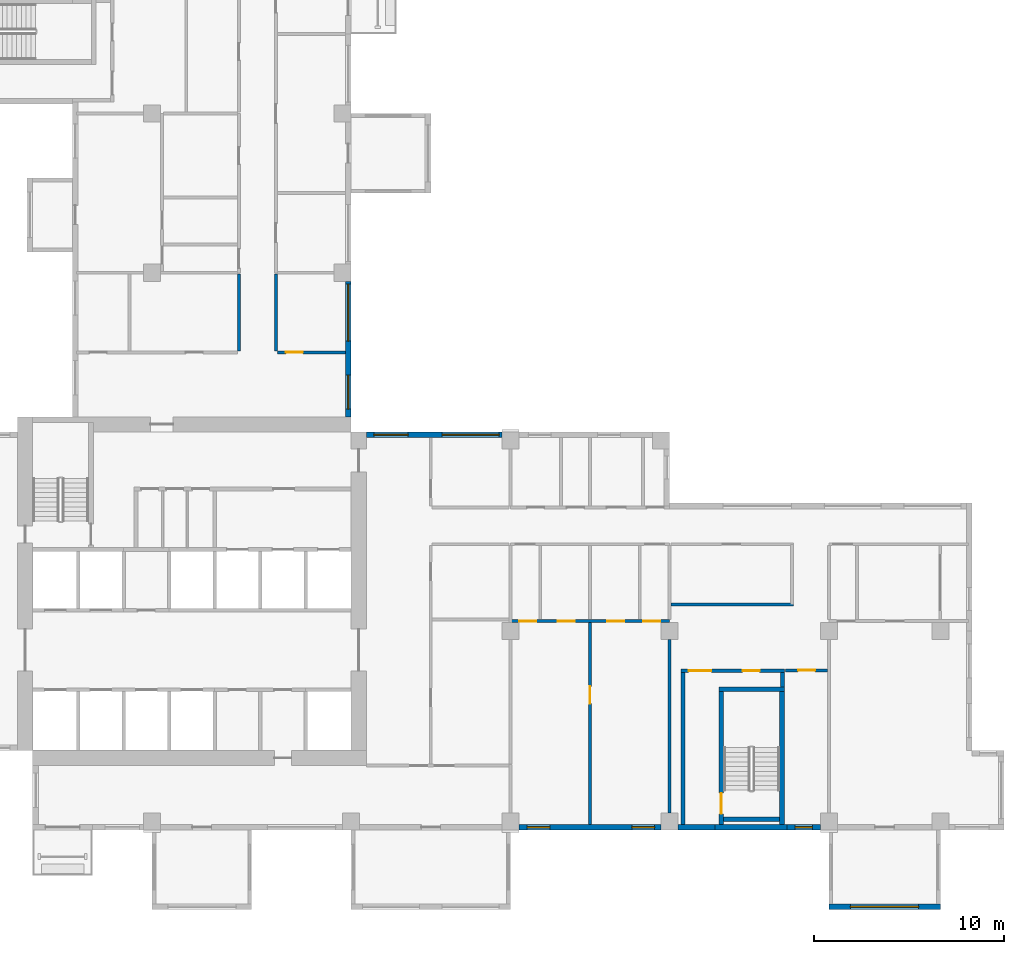
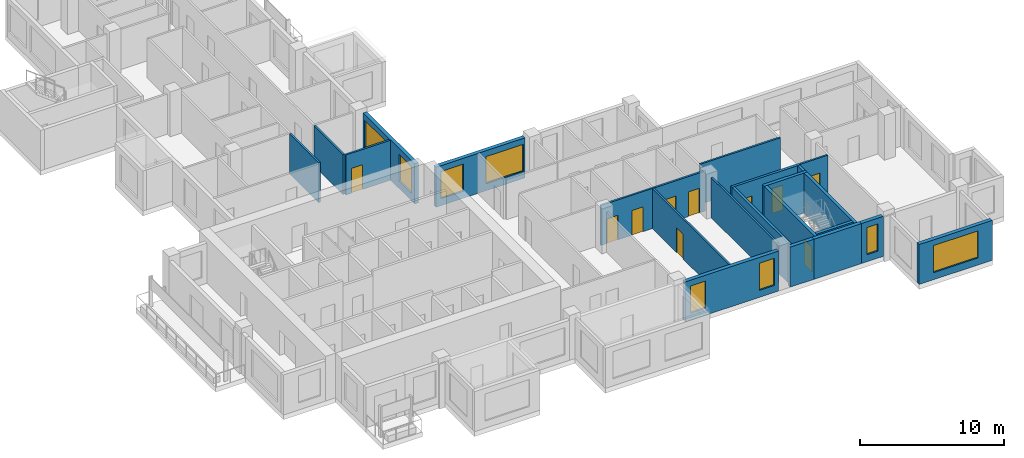
# One storey, part 4 of 12: 22 walls, 10 doors, 8 windows, 18 openings.
"""IFC4 building model written with IfcOpenShell, lengths in metres."""

from ifc_helpers import new_model, si_unit, direction, frame, frame_2d, origin, place, context, subcontext, project, spatial, rectangle, extrude, source, transform, mapped, material, layer, layer_set, type_object, element, fill, save


model = new_model("IFC4")

# Units and contexts
model_context = context("Model", 3, precision=1e-05, world=origin(), true_north=direction((0.0, 1.0)))
body_context = subcontext(model_context, "Body", "Model", "MODEL_VIEW")
ifc_project = project(units=[si_unit("LENGTHUNIT", "METRE"), si_unit("AREAUNIT", "SQUARE_METRE"), si_unit("VOLUMEUNIT", "CUBIC_METRE"), si_unit("PLANEANGLEUNIT", "RADIAN"), si_unit("MASSUNIT", "GRAM", prefix="KILO")], contexts=[model_context])

# Site, building, storey
site_placement = place(None, origin())
site = spatial("IfcSite", under=ifc_project, at=site_placement, CompositionType="ELEMENT")
building_placement = place(site_placement, origin())
building = spatial("IfcBuilding", under=site, at=building_placement, Name="Aurelian Terraces", CompositionType="ELEMENT")
storey_placement = place(building_placement, frame((0.0, 0.0, 223.4)))
storey = spatial("IfcBuildingStorey", under=building, at=storey_placement, Name="L50", CompositionType="ELEMENT", Elevation=223.4)

# Wall, openings, windows
ifc_material_1 = material(Name="Terracotta rainscreen cladding", Category="masonry")
ifc_layer_1 = layer(ifc_material_1, 0.3)
ifc_layer_set_1 = layer_set([ifc_layer_1], Name="EW-300")
wall_type_1 = type_object("IfcWallType", Name="EW-300", PredefinedType="STANDARD", material=ifc_layer_set_1)
shared_shape_1 = source(origin(), body_context, "Body", "SweptSolid", [
    extrude(rectangle(XDim=7.15, YDim=0.3, at=frame_2d((3.575, 0.0))), origin(), (0.0, 0.0, 1.0), 3.4),
])
wall_1_placement = place(storey_placement, frame((28.95, 20.85, 0.0), z_axis=(0.0, 0.0, 1.0), x_axis=(-1.0, 0.0, 0.0)))
wall_1 = element("IfcWall", 1, at=wall_1_placement, inside=storey, type_object=wall_type_1, Name="External wall L50 F07.16", PredefinedType="STANDARD", context=body_context, shape_type="MappedRepresentation", body=[
    mapped(shared_shape_1, transform((0.0, 0.0, 0.0), scale=1.0)),
])
shared_shape_2 = source(origin(), body_context, "Body", "SweptSolid", [
    extrude(rectangle(XDim=3.0, YDim=2.3, at=frame_2d((1.5, 1.15))), frame((0.0, 0.16, 0.0), z_axis=(0.0, -1.0, 0.0), x_axis=(1.0, 0.0, 0.0)), (0.0, 0.0, 1.0), 0.32),
])
opening_1_placement = place(wall_1_placement, frame((0.15, 0.0, 0.6)))
opening_1 = element("IfcOpeningElement", 2, at=opening_1_placement, cuts=wall_1, Name="Opening W3023", PredefinedType="OPENING", context=body_context, shape_type="MappedRepresentation", body=[
    mapped(shared_shape_2, transform((0.0, 0.0, 0.0), scale=1.0)),
])
shared_shape_3 = source(origin(), body_context, "Body", "SweptSolid", [
    extrude(rectangle(XDim=1.8, YDim=2.3, at=frame_2d((0.9, 1.15))), frame((0.0, 0.16, 0.0), z_axis=(0.0, -1.0, 0.0), x_axis=(1.0, 0.0, 0.0)), (0.0, 0.0, 1.0), 0.32),
])
opening_2_placement = place(wall_1_placement, frame((4.95, 0.0, 0.6)))
opening_2 = element("IfcOpeningElement", 3, at=opening_2_placement, cuts=wall_1, Name="Opening W1823", PredefinedType="OPENING", context=body_context, shape_type="MappedRepresentation", body=[
    mapped(shared_shape_3, transform((0.0, 0.0, 0.0), scale=1.0)),
])
ifc_material_2 = material(Name="Clear glazing", Category="glass")
window_type_1 = type_object("IfcWindowType", Name="W-3000x2300", PartitioningType="SINGLE_PANEL", PredefinedType="WINDOW", material=ifc_material_2)
shared_shape_4 = source(origin(), body_context, "Body", "SweptSolid", [
    extrude(rectangle(XDim=3.0, YDim=2.3, at=frame_2d((1.5, 1.15))), frame((0.0, 0.03, 0.0), z_axis=(0.0, -1.0, 0.0), x_axis=(1.0, 0.0, 0.0)), (0.0, 0.0, 1.0), 0.06),
])
window_1_placement = place(opening_1_placement, origin())
window_1 = element("IfcWindow", 4, at=window_1_placement, inside=storey, type_object=window_type_1, Name="Window L50 L50-F07-16-0", OverallHeight=2.3, OverallWidth=3.0, PartitioningType="SINGLE_PANEL", PredefinedType="WINDOW", context=body_context, shape_type="MappedRepresentation", body=[
    mapped(shared_shape_4, transform((0.0, 0.0, 0.0), scale=1.0)),
])
fill(opening_1, window_1)
window_type_2 = type_object("IfcWindowType", Name="W-1800x2300", PartitioningType="SINGLE_PANEL", PredefinedType="WINDOW", material=ifc_material_2)
shared_shape_5 = source(origin(), body_context, "Body", "SweptSolid", [
    extrude(rectangle(XDim=1.8, YDim=2.3, at=frame_2d((0.9, 1.15))), frame((0.0, 0.03, 0.0), z_axis=(0.0, -1.0, 0.0), x_axis=(1.0, 0.0, 0.0)), (0.0, 0.0, 1.0), 0.06),
])
window_2_placement = place(opening_2_placement, origin())
window_2 = element("IfcWindow", 5, at=window_2_placement, inside=storey, type_object=window_type_2, Name="Window L50 L50-F07-16-1", OverallHeight=2.3, OverallWidth=1.8, PartitioningType="SINGLE_PANEL", PredefinedType="WINDOW", context=body_context, shape_type="MappedRepresentation", body=[
    mapped(shared_shape_5, transform((0.0, 0.0, 0.0), scale=1.0)),
])
fill(opening_2, window_2)

wall_2_placement = place(storey_placement, frame((20.85, 21.8, 0.0), z_axis=(0.0, 0.0, 1.0), x_axis=(0.0, 1.0, 0.0)))
wall_2 = element("IfcWall", 6, at=wall_2_placement, inside=storey, type_object=wall_type_1, Name="External wall L50 F08.17", PredefinedType="STANDARD", context=body_context, shape_type="MappedRepresentation", body=[
    mapped(shared_shape_1, transform((0.0, 0.0, 0.0), scale=1.0)),
])
opening_3_placement = place(wall_2_placement, frame((0.4, 0.0, 0.6)))
opening_3 = element("IfcOpeningElement", 7, at=opening_3_placement, cuts=wall_2, Name="Opening W1823", PredefinedType="OPENING", context=body_context, shape_type="MappedRepresentation", body=[
    mapped(shared_shape_3, transform((0.0, 0.0, 0.0), scale=1.0)),
])
opening_4_placement = place(wall_2_placement, frame((4.0, 0.0, 0.6)))
opening_4 = element("IfcOpeningElement", 8, at=opening_4_placement, cuts=wall_2, Name="Opening W3023", PredefinedType="OPENING", context=body_context, shape_type="MappedRepresentation", body=[
    mapped(shared_shape_2, transform((0.0, 0.0, 0.0), scale=1.0)),
])
window_3_placement = place(opening_4_placement, origin())
window_3 = element("IfcWindow", 9, at=window_3_placement, inside=storey, type_object=window_type_1, Name="Window L50 L50-F08-17-1", OverallHeight=2.3, OverallWidth=3.0, PartitioningType="SINGLE_PANEL", PredefinedType="WINDOW", context=body_context, shape_type="MappedRepresentation", body=[
    mapped(shared_shape_4, transform((0.0, 0.0, 0.0), scale=1.0)),
])
fill(opening_4, window_3)
window_4_placement = place(opening_3_placement, origin())
window_4 = element("IfcWindow", 10, at=window_4_placement, inside=storey, type_object=window_type_2, Name="Window L50 L50-F08-17-0", OverallHeight=2.3, OverallWidth=1.8, PartitioningType="SINGLE_PANEL", PredefinedType="WINDOW", context=body_context, shape_type="MappedRepresentation", body=[
    mapped(shared_shape_5, transform((0.0, 0.0, 0.0), scale=1.0)),
])
fill(opening_3, window_4)

shared_shape_6 = source(origin(), body_context, "Body", "SweptSolid", [
    extrude(rectangle(XDim=7.5, YDim=0.3, at=frame_2d((3.75, 0.0))), origin(), (0.0, 0.0, 1.0), 3.4),
])
wall_3_placement = place(storey_placement, frame((29.85, 0.15, 0.0), z_axis=(0.0, 0.0, 1.0), x_axis=(1.0, 0.0, 0.0)))
wall_3 = element("IfcWall", 11, at=wall_3_placement, inside=storey, type_object=wall_type_1, Name="External wall L50 F01.5", PredefinedType="STANDARD", context=body_context, shape_type="MappedRepresentation", body=[
    mapped(shared_shape_6, transform((0.0, 0.0, 0.0), scale=1.0)),
])
shared_shape_7 = source(origin(), body_context, "Body", "SweptSolid", [
    extrude(rectangle(XDim=1.2, YDim=2.3, at=frame_2d((0.6, 1.15))), frame((0.0, 0.16, 0.0), z_axis=(0.0, -1.0, 0.0), x_axis=(1.0, 0.0, 0.0)), (0.0, 0.0, 1.0), 0.32),
])
opening_5_placement = place(wall_3_placement, frame((0.4375, 0.0, 0.6)))
opening_5 = element("IfcOpeningElement", 12, at=opening_5_placement, cuts=wall_3, Name="Opening W1223", PredefinedType="OPENING", context=body_context, shape_type="MappedRepresentation", body=[
    mapped(shared_shape_7, transform((0.0, 0.0, 0.0), scale=1.0)),
])
opening_6_placement = place(wall_3_placement, frame((5.9625, 0.0, 0.6)))
opening_6 = element("IfcOpeningElement", 13, at=opening_6_placement, cuts=wall_3, Name="Opening W1223", PredefinedType="OPENING", context=body_context, shape_type="MappedRepresentation", body=[
    mapped(shared_shape_7, transform((0.0, 0.0, 0.0), scale=1.0)),
])
window_type_3 = type_object("IfcWindowType", Name="W-1200x2300", PartitioningType="SINGLE_PANEL", PredefinedType="WINDOW", material=ifc_material_2)
shared_shape_8 = source(origin(), body_context, "Body", "SweptSolid", [
    extrude(rectangle(XDim=1.2, YDim=2.3, at=frame_2d((0.6, 1.15))), frame((0.0, 0.03, 0.0), z_axis=(0.0, -1.0, 0.0), x_axis=(1.0, 0.0, 0.0)), (0.0, 0.0, 1.0), 0.06),
])
window_5_placement = place(opening_5_placement, origin())
window_5 = element("IfcWindow", 14, at=window_5_placement, inside=storey, type_object=window_type_3, Name="Window L50 L50-F01-05-0", OverallHeight=2.3, OverallWidth=1.2, PartitioningType="SINGLE_PANEL", PredefinedType="WINDOW", context=body_context, shape_type="MappedRepresentation", body=[
    mapped(shared_shape_8, transform((0.0, 0.0, 0.0), scale=1.0)),
])
fill(opening_5, window_5)
window_6_placement = place(opening_6_placement, origin())
window_6 = element("IfcWindow", 15, at=window_6_placement, inside=storey, type_object=window_type_3, Name="Window L50 L50-F01-05-1", OverallHeight=2.3, OverallWidth=1.2, PartitioningType="SINGLE_PANEL", PredefinedType="WINDOW", context=body_context, shape_type="MappedRepresentation", body=[
    mapped(shared_shape_8, transform((0.0, 0.0, 0.0), scale=1.0)),
])
fill(opening_6, window_6)

# Walls
shared_shape_9 = source(origin(), body_context, "Body", "SweptSolid", [
    extrude(rectangle(XDim=1.95, YDim=0.3, at=frame_2d((0.975, 0.0))), origin(), (0.0, 0.0, 1.0), 3.4),
])
wall_4_placement = place(storey_placement, frame((38.25, 0.15, 0.0), z_axis=(0.0, 0.0, 1.0), x_axis=(1.0, 0.0, 0.0)))
element("IfcWall", 16, at=wall_4_placement, inside=storey, type_object=wall_type_1, Name="External wall L50 F01.6", PredefinedType="STANDARD", context=body_context, shape_type="MappedRepresentation", body=[
    mapped(shared_shape_9, transform((0.0, 0.0, 0.0), scale=1.0)),
])
ifc_material_3 = material(Name="Concrete fc' 40 MPa", Category="concrete")
ifc_layer_2 = layer(ifc_material_3, 0.3)
ifc_layer_set_2 = layer_set([ifc_layer_2], Name="STAIR BAY WALL 300")
wall_type_2 = type_object("IfcWallType", Name="STAIR BAY WALL 300", PredefinedType="SOLIDWALL", material=ifc_layer_set_2)
shared_shape_10 = source(origin(), body_context, "Body", "SweptSolid", [
    extrude(rectangle(XDim=3.8, YDim=0.3, at=frame_2d((1.9, 0.0))), origin(), (0.0, 0.0, 1.0), 3.4),
])
wall_5_placement = place(storey_placement, frame((40.2, 0.15, 0.0), z_axis=(0.0, 0.0, 1.0), x_axis=(1.0, 0.0, 0.0)))
element("IfcWall", 17, at=wall_5_placement, inside=storey, type_object=wall_type_2, Name="Stair bay wall L50 F01.6", PredefinedType="SOLIDWALL", context=body_context, shape_type="MappedRepresentation", body=[
    mapped(shared_shape_10, transform((0.0, 0.0, 0.0), scale=1.0)),
])

# Wall, opening, window
shared_shape_11 = source(origin(), body_context, "Body", "SweptSolid", [
    extrude(rectangle(XDim=1.75, YDim=0.3, at=frame_2d((0.875, 0.0))), origin(), (0.0, 0.0, 1.0), 3.4),
])
wall_6_placement = place(storey_placement, frame((44.0, 0.15, 0.0), z_axis=(0.0, 0.0, 1.0), x_axis=(1.0, 0.0, 0.0)))
wall_6 = element("IfcWall", 18, at=wall_6_placement, inside=storey, type_object=wall_type_1, Name="External wall L50 F01.6", PredefinedType="STANDARD", context=body_context, shape_type="MappedRepresentation", body=[
    mapped(shared_shape_11, transform((0.0, 0.0, 0.0), scale=1.0)),
])
shared_shape_12 = source(origin(), body_context, "Body", "SweptSolid", [
    extrude(rectangle(XDim=0.9, YDim=2.3, at=frame_2d((0.45, 1.15))), frame((0.0, 0.16, 0.0), z_axis=(0.0, -1.0, 0.0), x_axis=(1.0, 0.0, 0.0)), (0.0, 0.0, 1.0), 0.32),
])
opening_7_placement = place(wall_6_placement, frame((0.425, 0.0, 0.6)))
opening_7 = element("IfcOpeningElement", 19, at=opening_7_placement, cuts=wall_6, Name="Opening W0923", PredefinedType="OPENING", context=body_context, shape_type="MappedRepresentation", body=[
    mapped(shared_shape_12, transform((0.0, 0.0, 0.0), scale=1.0)),
])
window_type_4 = type_object("IfcWindowType", Name="W-900x2300", PartitioningType="SINGLE_PANEL", PredefinedType="WINDOW", material=ifc_material_2)
shared_shape_13 = source(origin(), body_context, "Body", "SweptSolid", [
    extrude(rectangle(XDim=0.9, YDim=2.3, at=frame_2d((0.45, 1.15))), frame((0.0, 0.03, 0.0), z_axis=(0.0, -1.0, 0.0), x_axis=(1.0, 0.0, 0.0)), (0.0, 0.0, 1.0), 0.06),
])
window_7_placement = place(opening_7_placement, origin())
window_7 = element("IfcWindow", 20, at=window_7_placement, inside=storey, type_object=window_type_4, Name="Window L50 L50-F01-06-P2", OverallHeight=2.3, OverallWidth=0.9, PartitioningType="SINGLE_PANEL", PredefinedType="WINDOW", context=body_context, shape_type="MappedRepresentation", body=[
    mapped(shared_shape_13, transform((0.0, 0.0, 0.0), scale=1.0)),
])
fill(opening_7, window_7)

ifc_layer_3 = layer(ifc_material_3, 0.3)
ifc_layer_set_3 = layer_set([ifc_layer_3], Name="BOX BEARING WALL 300")
wall_type_3 = type_object("IfcWallType", Name="BOX BEARING WALL 300", PredefinedType="SOLIDWALL", material=ifc_layer_set_3)
shared_shape_14 = source(origin(), body_context, "Body", "SweptSolid", [
    extrude(rectangle(XDim=5.88, YDim=0.3, at=frame_2d((2.94, 0.0))), origin(), (0.0, 0.0, 1.0), 3.39),
])
wall_7_placement = place(storey_placement, frame((46.2, -4.05, 0.0), z_axis=(0.0, 0.0, 1.0), x_axis=(1.0, 0.0, 0.0)))
wall_7 = element("IfcWall", 21, at=wall_7_placement, inside=storey, type_object=wall_type_3, Name="Box wall L50 J74", PredefinedType="SOLIDWALL", context=body_context, shape_type="MappedRepresentation", body=[
    mapped(shared_shape_14, transform((0.0, 0.0, 0.0), scale=1.0)),
])
shared_shape_15 = source(origin(), body_context, "Body", "SweptSolid", [
    extrude(rectangle(XDim=3.6, YDim=2.3, at=frame_2d((1.8, 1.15))), frame((0.0, 0.16, 0.0), z_axis=(0.0, -1.0, 0.0), x_axis=(1.0, 0.0, 0.0)), (0.0, 0.0, 1.0), 0.32),
])
opening_8_placement = place(wall_7_placement, frame((1.14, 0.0, 0.6)))
opening_8 = element("IfcOpeningElement", 22, at=opening_8_placement, cuts=wall_7, Name="Opening W3623", PredefinedType="OPENING", context=body_context, shape_type="MappedRepresentation", body=[
    mapped(shared_shape_15, transform((0.0, 0.0, 0.0), scale=1.0)),
])
window_type_5 = type_object("IfcWindowType", Name="W-3600x2300", PartitioningType="SINGLE_PANEL", PredefinedType="WINDOW", material=ifc_material_2)
shared_shape_16 = source(origin(), body_context, "Body", "SweptSolid", [
    extrude(rectangle(XDim=3.6, YDim=2.3, at=frame_2d((1.8, 1.15))), frame((0.0, 0.03, 0.0), z_axis=(0.0, -1.0, 0.0), x_axis=(1.0, 0.0, 0.0)), (0.0, 0.0, 1.0), 0.06),
])
window_8_placement = place(opening_8_placement, origin())
window_8 = element("IfcWindow", 23, at=window_8_placement, inside=storey, type_object=window_type_5, Name="Window L50 J74-F1", OverallHeight=2.3, OverallWidth=3.6, PartitioningType="SINGLE_PANEL", PredefinedType="WINDOW", context=body_context, shape_type="MappedRepresentation", body=[
    mapped(shared_shape_16, transform((0.0, 0.0, 0.0), scale=1.0)),
])
fill(opening_8, window_8)

# Wall, opening, door
ifc_layer_4 = layer(ifc_material_3, 0.25)
ifc_layer_set_4 = layer_set([ifc_layer_4], Name="Stair enclosure wall 250")
wall_type_4 = type_object("IfcWallType", Name="Stair enclosure wall 250", PredefinedType="SOLIDWALL", material=ifc_layer_set_4)
shared_shape_17 = source(origin(), body_context, "Body", "SweptSolid", [
    extrude(rectangle(XDim=7.0, YDim=0.25, at=frame_2d((3.5, 0.0))), origin(), (0.0, 0.0, 1.0), 3.4),
])
wall_8_placement = place(storey_placement, frame((40.525, 0.3, 0.0), z_axis=(0.0, 0.0, 1.0), x_axis=(0.0, 1.0, 0.0)))
wall_8 = element("IfcWall", 24, at=wall_8_placement, inside=storey, type_object=wall_type_4, Name="L50 core wall ST-S2-W", PredefinedType="SOLIDWALL", context=body_context, shape_type="MappedRepresentation", body=[
    mapped(shared_shape_17, transform((0.0, 0.0, 0.0), scale=1.0)),
])
shared_shape_18 = source(origin(), body_context, "Body", "SweptSolid", [
    extrude(rectangle(XDim=1.1, YDim=2.1, at=frame_2d((0.55, 1.05))), frame((0.0, 0.135, 0.0), z_axis=(0.0, -1.0, 0.0), x_axis=(1.0, 0.0, 0.0)), (0.0, 0.0, 1.0), 0.27),
])
opening_9_placement = place(wall_8_placement, frame((0.55, 0.0, 0.0)))
opening_9 = element("IfcOpeningElement", 25, at=opening_9_placement, cuts=wall_8, Name="Opening 65317", PredefinedType="OPENING", context=body_context, shape_type="MappedRepresentation", body=[
    mapped(shared_shape_18, transform((0.0, 0.0, 0.0), scale=1.0)),
])
ifc_material_4 = material(Name="Steel door leaf", Category="steel")
door_type_1 = type_object("IfcDoorType", Name="Core fire door 1100x2100", OperationType="SINGLE_SWING_LEFT", PredefinedType="DOOR", material=ifc_material_4)
shared_shape_19 = source(origin(), body_context, "Body", "SweptSolid", [
    extrude(rectangle(XDim=1.1, YDim=2.1, at=frame_2d((0.55, 1.05))), frame((0.0, 0.025, 0.0), z_axis=(0.0, -1.0, 0.0), x_axis=(1.0, 0.0, 0.0)), (0.0, 0.0, 1.0), 0.05),
])
door_1_placement = place(opening_9_placement, origin())
door_1 = element("IfcDoor", 26, at=door_1_placement, inside=storey, type_object=door_type_1, Name="Stair door 65317", OperationType="SINGLE_SWING_LEFT", OverallHeight=2.1, OverallWidth=1.1, PredefinedType="DOOR", context=body_context, shape_type="MappedRepresentation", body=[
    mapped(shared_shape_19, transform((0.0, 0.0, 0.0), scale=1.0)),
])
fill(opening_9, door_1)

# Walls
wall_9_placement = place(storey_placement, frame((43.725, 0.3, 0.0), z_axis=(0.0, 0.0, 1.0), x_axis=(0.0, 1.0, 0.0)))
element("IfcWall", 27, at=wall_9_placement, inside=storey, type_object=wall_type_4, Name="L50 core wall ST-S2-E", PredefinedType="SOLIDWALL", context=body_context, shape_type="MappedRepresentation", body=[
    mapped(shared_shape_17, transform((0.0, 0.0, 0.0), scale=1.0)),
])
shared_shape_20 = source(origin(), body_context, "Body", "SweptSolid", [
    extrude(rectangle(XDim=3.45, YDim=0.25, at=frame_2d((1.725, 0.0))), origin(), (0.0, 0.0, 1.0), 3.4),
])
wall_10_placement = place(storey_placement, frame((40.4, 7.425, 0.0), z_axis=(0.0, 0.0, 1.0), x_axis=(1.0, 0.0, 0.0)))
element("IfcWall", 28, at=wall_10_placement, inside=storey, type_object=wall_type_4, Name="L50 core wall ST-S2-N", PredefinedType="SOLIDWALL", context=body_context, shape_type="MappedRepresentation", body=[
    mapped(shared_shape_20, transform((0.0, 0.0, 0.0), scale=1.0)),
])
shared_shape_21 = source(origin(), body_context, "Body", "SweptSolid", [
    extrude(rectangle(XDim=2.95, YDim=0.25, at=frame_2d((1.475, 0.0))), origin(), (0.0, 0.0, 1.0), 3.4),
])
wall_11_placement = place(storey_placement, frame((40.65, 0.575, 0.0), z_axis=(0.0, 0.0, 1.0), x_axis=(1.0, 0.0, 0.0)))
element("IfcWall", 29, at=wall_11_placement, inside=storey, type_object=wall_type_4, Name="L50 core wall ST-S2-SS", PredefinedType="SOLIDWALL", context=body_context, shape_type="MappedRepresentation", body=[
    mapped(shared_shape_21, transform((0.0, 0.0, 0.0), scale=1.0)),
])

# Wall, openings, doors
ifc_material_5 = material(Name="Gypsum board on steel studs", Category="steel")
ifc_layer_5 = layer(ifc_material_5, 0.2)
ifc_layer_set_5 = layer_set([ifc_layer_5], Name="Core partition 200")
wall_type_5 = type_object("IfcWallType", Name="Core partition 200", PredefinedType="PARTITIONING", material=ifc_layer_set_5)
shared_shape_22 = source(origin(), body_context, "Body", "SweptSolid", [
    extrude(rectangle(XDim=5.45, YDim=0.2, at=frame_2d((2.725, 0.0))), origin(), (0.0, 0.0, 1.0), 3.4),
])
wall_12_placement = place(storey_placement, frame((38.4, 8.4, 0.0), z_axis=(0.0, 0.0, 1.0), x_axis=(1.0, 0.0, 0.0)))
wall_12 = element("IfcWall", 30, at=wall_12_placement, inside=storey, type_object=wall_type_5, Name="L50 core wall ST-S2-BN", PredefinedType="PARTITIONING", context=body_context, shape_type="MappedRepresentation", body=[
    mapped(shared_shape_22, transform((0.0, 0.0, 0.0), scale=1.0)),
])
shared_shape_23 = source(origin(), body_context, "Body", "SweptSolid", [
    extrude(rectangle(XDim=1.2, YDim=2.1, at=frame_2d((0.6, 1.05))), frame((0.0, 0.11, 0.0), z_axis=(0.0, -1.0, 0.0), x_axis=(1.0, 0.0, 0.0)), (0.0, 0.0, 1.0), 0.22),
])
opening_10_placement = place(wall_12_placement, frame((0.4, 0.0, 0.0)))
opening_10 = element("IfcOpeningElement", 31, at=opening_10_placement, cuts=wall_12, Name="Opening 65318", PredefinedType="OPENING", context=body_context, shape_type="MappedRepresentation", body=[
    mapped(shared_shape_23, transform((0.0, 0.0, 0.0), scale=1.0)),
])
shared_shape_24 = source(origin(), body_context, "Body", "SweptSolid", [
    extrude(rectangle(XDim=0.9, YDim=2.1, at=frame_2d((0.45, 1.05))), frame((0.0, 0.11, 0.0), z_axis=(0.0, -1.0, 0.0), x_axis=(1.0, 0.0, 0.0)), (0.0, 0.0, 1.0), 0.22),
])
opening_11_placement = place(wall_12_placement, frame((3.25, 0.0, 0.0)))
opening_11 = element("IfcOpeningElement", 32, at=opening_11_placement, cuts=wall_12, Name="Opening 65319", PredefinedType="OPENING", context=body_context, shape_type="MappedRepresentation", body=[
    mapped(shared_shape_24, transform((0.0, 0.0, 0.0), scale=1.0)),
])
door_type_2 = type_object("IfcDoorType", Name="Core riser door 900x2100", OperationType="SINGLE_SWING_LEFT", PredefinedType="DOOR", material=ifc_material_4)
shared_shape_25 = source(origin(), body_context, "Body", "SweptSolid", [
    extrude(rectangle(XDim=0.9, YDim=2.1, at=frame_2d((0.45, 1.05))), frame((0.0, 0.025, 0.0), z_axis=(0.0, -1.0, 0.0), x_axis=(1.0, 0.0, 0.0)), (0.0, 0.0, 1.0), 0.05),
])
door_2_placement = place(opening_11_placement, origin())
door_2 = element("IfcDoor", 33, at=door_2_placement, inside=storey, type_object=door_type_2, Name="Riser door 65319", OperationType="SINGLE_SWING_LEFT", OverallHeight=2.1, OverallWidth=0.9, PredefinedType="DOOR", context=body_context, shape_type="MappedRepresentation", body=[
    mapped(shared_shape_25, transform((0.0, 0.0, 0.0), scale=1.0)),
])
fill(opening_11, door_2)
door_type_3 = type_object("IfcDoorType", Name="Core fire door 1200x2100 right", OperationType="SINGLE_SWING_RIGHT", PredefinedType="DOOR", material=ifc_material_4)
shared_shape_26 = source(origin(), body_context, "Body", "SweptSolid", [
    extrude(rectangle(XDim=1.2, YDim=2.1, at=frame_2d((0.6, 1.05))), frame((0.0, 0.025, 0.0), z_axis=(0.0, -1.0, 0.0), x_axis=(1.0, 0.0, 0.0)), (0.0, 0.0, 1.0), 0.05),
])
door_3_placement = place(opening_10_placement, origin())
door_3 = element("IfcDoor", 34, at=door_3_placement, inside=storey, type_object=door_type_3, Name="Vestibule door 65318", OperationType="SINGLE_SWING_RIGHT", OverallHeight=2.1, OverallWidth=1.2, PredefinedType="DOOR", context=body_context, shape_type="MappedRepresentation", body=[
    mapped(shared_shape_26, transform((0.0, 0.0, 0.0), scale=1.0)),
])
fill(opening_10, door_3)

# Walls
shared_shape_27 = source(origin(), body_context, "Body", "SweptSolid", [
    extrude(rectangle(XDim=0.75, YDim=0.2, at=frame_2d((0.375, 0.0))), origin(), (0.0, 0.0, 1.0), 3.4),
])
wall_13_placement = place(storey_placement, frame((43.75, 7.55, 0.0), z_axis=(0.0, 0.0, 1.0), x_axis=(0.0, 1.0, 0.0)))
element("IfcWall", 35, at=wall_13_placement, inside=storey, type_object=wall_type_5, Name="L50 core wall ST-S2-RE", PredefinedType="PARTITIONING", context=body_context, shape_type="MappedRepresentation", body=[
    mapped(shared_shape_27, transform((0.0, 0.0, 0.0), scale=1.0)),
])
shared_shape_28 = source(origin(), body_context, "Body", "SweptSolid", [
    extrude(rectangle(XDim=8.0, YDim=0.2, at=frame_2d((4.0, 0.0))), origin(), (0.0, 0.0, 1.0), 3.4),
])
wall_14_placement = place(storey_placement, frame((38.5, 0.3, 0.0), z_axis=(0.0, 0.0, 1.0), x_axis=(0.0, 1.0, 0.0)))
element("IfcWall", 36, at=wall_14_placement, inside=storey, type_object=wall_type_5, Name="L50 core wall ST-S2-VW", PredefinedType="PARTITIONING", context=body_context, shape_type="MappedRepresentation", body=[
    mapped(shared_shape_28, transform((0.0, 0.0, 0.0), scale=1.0)),
])
ifc_layer_6 = layer(ifc_material_5, 0.15)
ifc_layer_set_6 = layer_set([ifc_layer_6], Name="Partition 150")
wall_type_6 = type_object("IfcWallType", Name="Partition 150", PredefinedType="PARTITIONING", material=ifc_layer_set_6)
shared_shape_29 = source(origin(), body_context, "Body", "SweptSolid", [
    extrude(rectangle(XDim=6.45, YDim=0.15, at=frame_2d((3.225, 0.0))), origin(), (0.0, 0.0, 1.0), 3.4),
])
wall_15_placement = place(storey_placement, frame((37.875, 11.9, 0.0), z_axis=(0.0, 0.0, 1.0), x_axis=(1.0, 0.0, 0.0)))
element("IfcWall", 37, at=wall_15_placement, inside=storey, type_object=wall_type_6, Name="Partition", PredefinedType="PARTITIONING", context=body_context, shape_type="MappedRepresentation", body=[
    mapped(shared_shape_29, transform((0.0, 0.0, 0.0), scale=1.0)),
])
ifc_layer_7 = layer(ifc_material_5, 0.15)
ifc_layer_set_7 = layer_set([ifc_layer_7], Name="Fire partition 150")
wall_type_7 = type_object("IfcWallType", Name="Fire partition 150", PredefinedType="PARTITIONING", material=ifc_layer_set_7)
shared_shape_30 = source(origin(), body_context, "Body", "SweptSolid", [
    extrude(rectangle(XDim=9.152, YDim=0.15, at=frame_2d((4.576, 0.0))), origin(), (0.0, 0.0, 1.0), 3.4),
])
wall_16_placement = place(storey_placement, frame((37.8, 0.899, 0.0), z_axis=(0.0, 0.0, 1.0), x_axis=(0.0, 1.0, 0.0)))
element("IfcWall", 38, at=wall_16_placement, inside=storey, type_object=wall_type_7, Name="Party wall", PredefinedType="PARTITIONING", context=body_context, shape_type="MappedRepresentation", body=[
    mapped(shared_shape_30, transform((0.0, 0.0, 0.0), scale=1.0)),
])

# Wall, opening, door
shared_shape_31 = source(origin(), body_context, "Body", "SweptSolid", [
    extrude(rectangle(XDim=3.6, YDim=0.15, at=frame_2d((1.8, 0.0))), origin(), (0.0, 0.0, 1.0), 3.4),
])
wall_17_placement = place(storey_placement, frame((17.1, 25.2, 0.0), z_axis=(0.0, 0.0, 1.0), x_axis=(1.0, 0.0, 0.0)))
wall_17 = element("IfcWall", 39, at=wall_17_placement, inside=storey, type_object=wall_type_6, Name="Partition", PredefinedType="PARTITIONING", context=body_context, shape_type="MappedRepresentation", body=[
    mapped(shared_shape_31, transform((0.0, 0.0, 0.0), scale=1.0)),
])
shared_shape_32 = source(origin(), body_context, "Body", "SweptSolid", [
    extrude(rectangle(XDim=0.9, YDim=2.1, at=frame_2d((0.45, 1.05))), frame((0.0, 0.085, 0.0), z_axis=(0.0, -1.0, 0.0), x_axis=(1.0, 0.0, 0.0)), (0.0, 0.0, 1.0), 0.17),
])
opening_12_placement = place(wall_17_placement, frame((0.45, 0.0, 0.0)))
opening_12 = element("IfcOpeningElement", 40, at=opening_12_placement, cuts=wall_17, Name="Opening 750023", PredefinedType="OPENING", context=body_context, shape_type="MappedRepresentation", body=[
    mapped(shared_shape_32, transform((0.0, 0.0, 0.0), scale=1.0)),
])
ifc_material_6 = material(Name="Timber door leaf", Category="wood")
door_type_4 = type_object("IfcDoorType", Name="Room door 900x2100 left", OperationType="SINGLE_SWING_LEFT", PredefinedType="DOOR", material=ifc_material_6)
door_4_placement = place(opening_12_placement, origin())
door_4 = element("IfcDoor", 41, at=door_4_placement, inside=storey, type_object=door_type_4, Name="Door 750023", OperationType="SINGLE_SWING_LEFT", OverallHeight=2.1, OverallWidth=0.9, PredefinedType="DOOR", context=body_context, shape_type="MappedRepresentation", body=[
    mapped(shared_shape_25, transform((0.0, 0.0, 0.0), scale=1.0)),
])
fill(opening_12, door_4)

# Wall, openings, doors
shared_shape_33 = source(origin(), body_context, "Body", "SweptSolid", [
    extrude(rectangle(XDim=8.4, YDim=0.15, at=frame_2d((4.2, 0.0))), origin(), (0.0, 0.0, 1.0), 3.4),
])
wall_18_placement = place(storey_placement, frame((37.8, 11.025, 0.0), z_axis=(0.0, 0.0, 1.0), x_axis=(-1.0, 0.0, 0.0)))
wall_18 = element("IfcWall", 42, at=wall_18_placement, inside=storey, type_object=wall_type_6, Name="Partition", PredefinedType="PARTITIONING", context=body_context, shape_type="MappedRepresentation", body=[
    mapped(shared_shape_33, transform((0.0, 0.0, 0.0), scale=1.0)),
])
opening_13_placement = place(wall_18_placement, frame((7.025, 0.0, 0.0)))
opening_13 = element("IfcOpeningElement", 43, at=opening_13_placement, cuts=wall_18, Name="Opening 750008", PredefinedType="OPENING", context=body_context, shape_type="MappedRepresentation", body=[
    mapped(shared_shape_32, transform((0.0, 0.0, 0.0), scale=1.0)),
])
opening_14_placement = place(wall_18_placement, frame((5.0125, 0.0, 0.0)))
opening_14 = element("IfcOpeningElement", 44, at=opening_14_placement, cuts=wall_18, Name="Opening 750009", PredefinedType="OPENING", context=body_context, shape_type="MappedRepresentation", body=[
    mapped(shared_shape_32, transform((0.0, 0.0, 0.0), scale=1.0)),
])
opening_15_placement = place(wall_18_placement, frame((2.3875, 0.0, 0.0)))
opening_15 = element("IfcOpeningElement", 45, at=opening_15_placement, cuts=wall_18, Name="Opening 750010", PredefinedType="OPENING", context=body_context, shape_type="MappedRepresentation", body=[
    mapped(shared_shape_32, transform((0.0, 0.0, 0.0), scale=1.0)),
])
opening_16_placement = place(wall_18_placement, frame((0.485, 0.0, 0.0)))
opening_16 = element("IfcOpeningElement", 46, at=opening_16_placement, cuts=wall_18, Name="Opening 750012", PredefinedType="OPENING", context=body_context, shape_type="MappedRepresentation", body=[
    mapped(shared_shape_32, transform((0.0, 0.0, 0.0), scale=1.0)),
])
door_type_5 = type_object("IfcDoorType", Name="Room door 900x2100 right", OperationType="SINGLE_SWING_RIGHT", PredefinedType="DOOR", material=ifc_material_6)
door_5_placement = place(opening_13_placement, origin())
door_5 = element("IfcDoor", 47, at=door_5_placement, inside=storey, type_object=door_type_5, Name="Door 750008", OperationType="SINGLE_SWING_RIGHT", OverallHeight=2.1, OverallWidth=0.9, PredefinedType="DOOR", context=body_context, shape_type="MappedRepresentation", body=[
    mapped(shared_shape_25, transform((0.0, 0.0, 0.0), scale=1.0)),
])
fill(opening_13, door_5)
door_6_placement = place(opening_14_placement, origin())
door_6 = element("IfcDoor", 48, at=door_6_placement, inside=storey, type_object=door_type_4, Name="Door 750009", OperationType="SINGLE_SWING_LEFT", OverallHeight=2.1, OverallWidth=0.9, PredefinedType="DOOR", context=body_context, shape_type="MappedRepresentation", body=[
    mapped(shared_shape_25, transform((0.0, 0.0, 0.0), scale=1.0)),
])
fill(opening_14, door_6)
door_7_placement = place(opening_15_placement, origin())
door_7 = element("IfcDoor", 49, at=door_7_placement, inside=storey, type_object=door_type_5, Name="Door 750010", OperationType="SINGLE_SWING_RIGHT", OverallHeight=2.1, OverallWidth=0.9, PredefinedType="DOOR", context=body_context, shape_type="MappedRepresentation", body=[
    mapped(shared_shape_25, transform((0.0, 0.0, 0.0), scale=1.0)),
])
fill(opening_15, door_7)
door_8_placement = place(opening_16_placement, origin())
door_8 = element("IfcDoor", 50, at=door_8_placement, inside=storey, type_object=door_type_5, Name="Door 750012", OperationType="SINGLE_SWING_RIGHT", OverallHeight=2.1, OverallWidth=0.9, PredefinedType="DOOR", context=body_context, shape_type="MappedRepresentation", body=[
    mapped(shared_shape_25, transform((0.0, 0.0, 0.0), scale=1.0)),
])
fill(opening_16, door_8)

# Wall, opening, door
shared_shape_34 = source(origin(), body_context, "Body", "SweptSolid", [
    extrude(rectangle(XDim=2.2, YDim=0.15, at=frame_2d((1.1, 0.0))), origin(), (0.0, 0.0, 1.0), 3.4),
])
wall_19_placement = place(storey_placement, frame((46.125, 8.425, 0.0), z_axis=(0.0, 0.0, 1.0), x_axis=(-1.0, 0.0, 0.0)))
wall_19 = element("IfcWall", 51, at=wall_19_placement, inside=storey, type_object=wall_type_6, Name="Partition", PredefinedType="PARTITIONING", context=body_context, shape_type="MappedRepresentation", body=[
    mapped(shared_shape_34, transform((0.0, 0.0, 0.0), scale=1.0)),
])
opening_17_placement = place(wall_19_placement, frame((0.65, 0.0, 0.0)))
opening_17 = element("IfcOpeningElement", 52, at=opening_17_placement, cuts=wall_19, Name="Opening 750006", PredefinedType="OPENING", context=body_context, shape_type="MappedRepresentation", body=[
    mapped(shared_shape_32, transform((0.0, 0.0, 0.0), scale=1.0)),
])
door_9_placement = place(opening_17_placement, origin())
door_9 = element("IfcDoor", 53, at=door_9_placement, inside=storey, type_object=door_type_5, Name="Door 750006", OperationType="SINGLE_SWING_RIGHT", OverallHeight=2.1, OverallWidth=0.9, PredefinedType="DOOR", context=body_context, shape_type="MappedRepresentation", body=[
    mapped(shared_shape_25, transform((0.0, 0.0, 0.0), scale=1.0)),
])
fill(opening_17, door_9)

shared_shape_35 = source(origin(), body_context, "Body", "SweptSolid", [
    extrude(rectangle(XDim=10.65, YDim=0.15, at=frame_2d((5.325, 0.0))), origin(), (0.0, 0.0, 1.0), 3.4),
])
wall_20_placement = place(storey_placement, frame((33.6, 0.3, 0.0), z_axis=(0.0, 0.0, 1.0), x_axis=(0.0, 1.0, 0.0)))
wall_20 = element("IfcWall", 54, at=wall_20_placement, inside=storey, type_object=wall_type_6, Name="Partition", PredefinedType="PARTITIONING", context=body_context, shape_type="MappedRepresentation", body=[
    mapped(shared_shape_35, transform((0.0, 0.0, 0.0), scale=1.0)),
])
opening_18_placement = place(wall_20_placement, frame((6.375, 0.0, 0.0)))
opening_18 = element("IfcOpeningElement", 55, at=opening_18_placement, cuts=wall_20, Name="Opening 750013", PredefinedType="OPENING", context=body_context, shape_type="MappedRepresentation", body=[
    mapped(shared_shape_32, transform((0.0, 0.0, 0.0), scale=1.0)),
])
door_10_placement = place(opening_18_placement, origin())
door_10 = element("IfcDoor", 56, at=door_10_placement, inside=storey, type_object=door_type_4, Name="Door 750013", OperationType="SINGLE_SWING_LEFT", OverallHeight=2.1, OverallWidth=0.9, PredefinedType="DOOR", context=body_context, shape_type="MappedRepresentation", body=[
    mapped(shared_shape_25, transform((0.0, 0.0, 0.0), scale=1.0)),
])
fill(opening_18, door_10)

# Walls
shared_shape_36 = source(origin(), body_context, "Body", "SweptSolid", [
    extrude(rectangle(XDim=4.05, YDim=0.15, at=frame_2d((2.025, 0.0))), origin(), (0.0, 0.0, 1.0), 3.4),
])
for number, where, z_axis, x_axis, name in (
    (57, (15.075, 25.275, 0.0), (0.0, 0.0, 1.0), (0.0, 1.0, 0.0), "Corridor wall"),
    (58, (17.025, 29.325, 0.0), (0.0, 0.0, 1.0), (0.0, -1.0, 0.0), "Corridor wall"),
):
    element("IfcWall", number, at=place(storey_placement, frame(where, z_axis=z_axis, x_axis=x_axis)), inside=storey, type_object=wall_type_7, Name=name, PredefinedType="PARTITIONING", context=body_context, shape_type="MappedRepresentation", body=[
        mapped(shared_shape_36, transform((0.0, 0.0, 0.0), scale=1.0)),
    ])

save(model, "model.ifc")
